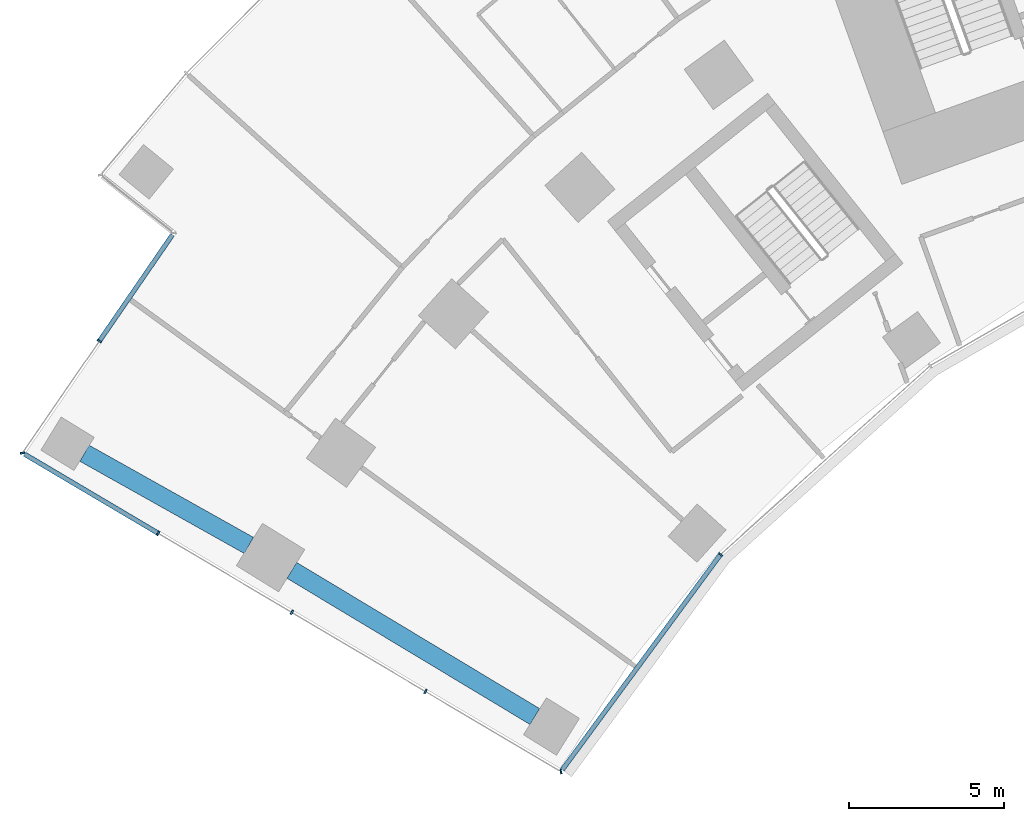
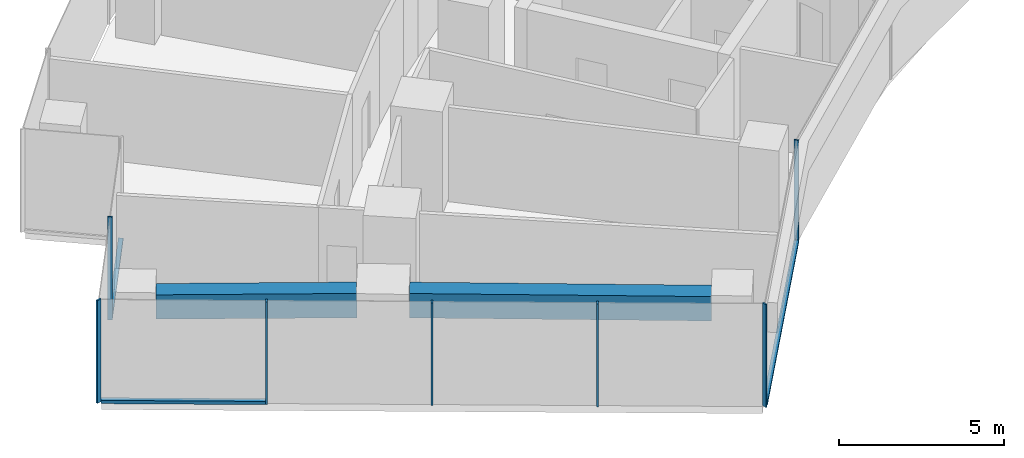
# One storey, part 2 of 21: 10 members, 2 beams, 3 elements without a shape of their own.
"""IFC4 building model written with IfcOpenShell, lengths in metres."""

import ifcopenshell
import ifcopenshell.guid

model = None  # the IFC model being written
_history = None  # IfcOwnerHistory: only IFC2X3 demands one
_inside = {}  # id of a spatial element -> (the spatial element, [elements in it])
_under = {}  # id of a project, library or spatial element -> (it, [spatial elements below it])
_declared = {}  # id of a project -> (the project, [libraries it declares])
_typed = {}  # id of a type object -> (the type object, [elements of that type])
_made_of = {}  # id of a material, layer set ... -> (it, [elements and type objects made of it])


def new_model(schema):
    """Start an empty IFC model of exactly this schema.

    Asked for "IFC4X3", IfcOpenShell would pick the latest addendum, in which some entities
    have other attributes; the version numbers below select the first issue.
    IFC2X3 requires an IfcOwnerHistory on every rooted entity: one is made here for all.
    """
    global model, _history
    if schema == "IFC4X3":
        model = ifcopenshell.file(schema_version=(4, 3, 0, 0))
    else:
        model = ifcopenshell.file(schema=schema)
    _inside.clear()
    _under.clear()
    _declared.clear()
    _typed.clear()
    _made_of.clear()
    _history = None
    if model.schema == "IFC2X3":
        org = make("IfcOrganization", Name="unknown")
        user = make(
            "IfcPersonAndOrganization",
            ThePerson=make("IfcPerson", FamilyName="unknown"),
            TheOrganization=org,
        )
        app = make(
            "IfcApplication",
            ApplicationDeveloper=org,
            Version="unknown",
            ApplicationFullName="unknown",
            ApplicationIdentifier="unknown",
        )
        _history = make(
            "IfcOwnerHistory",
            OwningUser=user,
            OwningApplication=app,
            ChangeAction="ADDED",
            CreationDate=0,
        )
    return model


def make(cls, **values):
    """One entity of the class cls with the attributes given. An attribute that is None is left unset."""
    return model.create_entity(
        cls, **{name: value for name, value in values.items() if value is not None}
    )


def rooted(cls, **values):
    """An entity with a GlobalId (a new one), such as an element, a storey or a relation."""
    return make(cls, GlobalId=ifcopenshell.guid.new(), OwnerHistory=_history, **values)


def si_unit(unit_type, name, prefix=None):
    """IfcSIUnit, for example si_unit("LENGTHUNIT", "METRE", prefix="MILLI")."""
    return make("IfcSIUnit", UnitType=unit_type, Prefix=prefix, Name=name)


def assignment(units):
    """IfcUnitAssignment: the units of a project."""
    return None if units is None else make("IfcUnitAssignment", Units=units)


def point(xyz):
    """IfcCartesianPoint."""
    return None if xyz is None else make("IfcCartesianPoint", Coordinates=xyz)


def direction(xyz):
    """IfcDirection."""
    return None if xyz is None else make("IfcDirection", DirectionRatios=xyz)


def frame(location, z_axis=None, x_axis=None):
    """IfcAxis2Placement3D, a coordinate frame: its origin and axes. An axis left out is left unset."""
    return make(
        "IfcAxis2Placement3D",
        Location=point(location),
        Axis=direction(z_axis),
        RefDirection=direction(x_axis),
    )


def frame_2d(location, x_axis=None):
    """IfcAxis2Placement2D, a coordinate frame in the plane: its origin and x axis."""
    return make(
        "IfcAxis2Placement2D", Location=point(location), RefDirection=direction(x_axis)
    )


def origin():
    """The frame at (0, 0, 0) with its axes left unset."""
    return frame((0.0, 0.0, 0.0))


def origin_2d():
    """The frame at (0, 0) in the plane with its x axis left unset."""
    return frame_2d((0.0, 0.0))


def place(relative_to, where):
    """IfcLocalPlacement: puts the frame where relative to a parent placement (None: the world)."""
    return make(
        "IfcLocalPlacement", PlacementRelTo=relative_to, RelativePlacement=where
    )


def context(
    kind, dimensions, precision=None, world=None, true_north=None, identifier=None
):
    """IfcGeometricRepresentationContext, for example the 3D "Model" context."""
    return make(
        "IfcGeometricRepresentationContext",
        ContextIdentifier=identifier,
        ContextType=kind,
        CoordinateSpaceDimension=dimensions,
        Precision=precision,
        WorldCoordinateSystem=world,
        TrueNorth=true_north,
    )


def subcontext(parent, identifier, kind, view, scale=None):
    """IfcGeometricRepresentationSubContext, for example "Body" below "Model"."""
    return make(
        "IfcGeometricRepresentationSubContext",
        ContextIdentifier=identifier,
        ContextType=kind,
        ParentContext=parent,
        TargetScale=scale,
        TargetView=view,
    )


def project(units=None, contexts=None):
    """IfcProject with its units and contexts."""
    return rooted(
        "IfcProject",
        Name="project",
        RepresentationContexts=contexts,
        UnitsInContext=assignment(units),
    )


def spatial(cls, under=None, at=None, **own):
    """A site, building, storey or space (cls), placed at a placement, below another one or the project."""
    s = rooted(cls, ObjectPlacement=at, **own)
    if under is not None:
        _under.setdefault(under.id(), (under, []))[1].append(s)
    return s


def profile(cls, at=None, kind="AREA", **sizes):
    """A parametric profile (cls). Its sizes go by their IFC names, for example OverallWidth=200.0."""
    return make(cls, ProfileType=kind, Position=at, **sizes)


def rectangle(**sizes):
    """IfcRectangleProfileDef."""
    return profile("IfcRectangleProfileDef", **sizes)


def extrude(swept, where, along, depth):
    """IfcExtrudedAreaSolid: the profile swept, set in the frame where, extruded along a direction by depth."""
    return make(
        "IfcExtrudedAreaSolid",
        SweptArea=swept,
        Position=where,
        ExtrudedDirection=direction(along),
        Depth=depth,
    )


def shape(context_of_items, identifier, shape_type, items):
    """IfcShapeRepresentation: the items that make up one representation, for example the "Body"."""
    return make(
        "IfcShapeRepresentation",
        ContextOfItems=context_of_items,
        RepresentationIdentifier=identifier,
        RepresentationType=shape_type,
        Items=items,
    )


def material(Name=None, Category=None):
    """IfcMaterial."""
    return make("IfcMaterial", Name=Name, Category=Category)


def layer(
    of_material, thickness, ventilated=None, Name=None, Category=None, Priority=None
):
    """IfcMaterialLayer: one layer of a wall or slab, of a material (None: an air gap)."""
    return make(
        "IfcMaterialLayer",
        Material=of_material,
        LayerThickness=thickness,
        IsVentilated=ventilated,
        Name=Name,
        Category=Category,
        Priority=Priority,
    )


def layer_set(layers, Name=None):
    """IfcMaterialLayerSet."""
    return make("IfcMaterialLayerSet", MaterialLayers=layers, LayerSetName=Name)


def material_profile(
    of_material, cross_section, Name=None, Category=None, Priority=None
):
    """IfcMaterialProfile: a cross section and its material."""
    return make(
        "IfcMaterialProfile",
        Name=Name,
        Material=of_material,
        Profile=cross_section,
        Priority=Priority,
        Category=Category,
    )


def profile_set(profiles, Name=None, composite=None):
    """IfcMaterialProfileSet."""
    return make(
        "IfcMaterialProfileSet",
        Name=Name,
        MaterialProfiles=profiles,
        CompositeProfile=composite,
    )


def made_of(thing, what):
    """Note that an element or type object is made of a material, layer set ...; save() writes the relation."""
    if what is not None:
        _made_of.setdefault(what.id(), (what, []))[1].append(thing)
    return thing


def type_object(cls, material=None, **own):
    """A type object (cls), such as IfcWallType, which elements share."""
    return made_of(rooted(cls, **own), material)


def element(
    cls,
    number,
    at=None,
    inside=None,
    cuts=None,
    type_object=None,
    material=None,
    context=None,
    identifier="Body",
    shape_type=None,
    held_by="IfcProductDefinitionShape",
    body=None,
    shapes=None,
    **own,
):
    """One element of the class cls, such as IfcWall. Its Tag is "e" and its number.

    at: its placement. inside: the storey or other place that contains it. cuts: it is an
    opening in that element (IfcRelVoidsElement). A single representation is given by context,
    identifier, shape_type and body (its items); several are given by shapes. held_by: the class
    of the entity that holds the representations. save() writes the other relations.
    """
    e = rooted(cls, Tag="e%d" % number, ObjectPlacement=at, **own)
    if body is not None:
        shapes = [shape(context, identifier, shape_type, body)]
    if shapes is not None:
        e.Representation = make(held_by, Representations=shapes)
    if inside is not None:
        _inside.setdefault(inside.id(), (inside, []))[1].append(e)
    if cuts is not None:
        rooted(
            "IfcRelVoidsElement", RelatingBuildingElement=cuts, RelatedOpeningElement=e
        )
    if type_object is not None:
        _typed.setdefault(type_object.id(), (type_object, []))[1].append(e)
    return made_of(e, material)


def aggregate(whole, parts):
    """IfcRelAggregates: a whole, such as a stair, and the parts it consists of."""
    return rooted("IfcRelAggregates", RelatingObject=whole, RelatedObjects=parts)


def save(model, path):
    """Write the relations noted so far, then the file.

    IfcRelAggregates (storeys below a building ...), IfcRelContainedInSpatialStructure (elements
    in a storey), IfcRelDefinesByType, IfcRelAssociatesMaterial and IfcRelDeclares: one each for
    every whole, place, type object, material and project.
    """
    for whole, parts in _under.values():
        aggregate(whole, parts)
    for where, things in _inside.values():
        rooted(
            "IfcRelContainedInSpatialStructure",
            RelatedElements=things,
            RelatingStructure=where,
        )
    for kind, things in _typed.values():
        rooted("IfcRelDefinesByType", RelatedObjects=things, RelatingType=kind)
    for what, things in _made_of.values():
        rooted("IfcRelAssociatesMaterial", RelatedObjects=things, RelatingMaterial=what)
    for by, libraries in _declared.values():
        rooted("IfcRelDeclares", RelatingContext=by, RelatedDefinitions=libraries)
    model.write(path)


model = new_model("IFC4")

# Units and contexts
model_context = context("Model", 3, precision=1e-05, world=origin(), true_north=direction((0.0, 1.0)))
body_context = subcontext(model_context, "Body", "Model", "MODEL_VIEW")
ifc_project = project(units=[si_unit("LENGTHUNIT", "METRE"), si_unit("AREAUNIT", "SQUARE_METRE"), si_unit("VOLUMEUNIT", "CUBIC_METRE"), si_unit("PLANEANGLEUNIT", "RADIAN"), si_unit("MASSUNIT", "GRAM", prefix="KILO")], contexts=[model_context])

# Site, building, storey
site_placement = place(None, origin())
site = spatial("IfcSite", under=ifc_project, at=site_placement, CompositionType="ELEMENT")
building_placement = place(site_placement, origin())
building = spatial("IfcBuilding", under=site, at=building_placement, Name="Stone Belt Terrace Tower", CompositionType="ELEMENT")
storey_placement = place(building_placement, frame((0.0, 0.0, 60.39990234375)))
storey = spatial("IfcBuildingStorey", under=building, at=storey_placement, Name="L14", CompositionType="ELEMENT", Elevation=60.39990234375)

# Curtain wall, members
ifc_material_1 = material(Name="Aluminium 6063-T6 anodised frame", Category="aluminium")
ifc_layer_1 = layer(ifc_material_1, 0.14990234375)
ifc_layer_set_1 = layer_set([ifc_layer_1], Name="CW-B unitised concave-face curtain wall")
curtain_wall_type_1 = type_object("IfcCurtainWallType", Name="CW-B unitised concave-face curtain wall", PredefinedType="NOTDEFINED", material=ifc_layer_set_1)
curtain_wall_1_placement = place(storey_placement, origin())
curtain_wall_1 = element("IfcCurtainWall", 1, at=curtain_wall_1_placement, inside=storey, type_object=curtain_wall_type_1, Name="CW-B concave face L14", PredefinedType="NOTDEFINED")
ifc_material_profile_1 = material_profile(ifc_material_1, rectangle(XDim=0.14990234375, YDim=0.050048828125, at=origin_2d()), Name="Aluminium 6063-T6 50x150")
ifc_profile_set_1 = profile_set([ifc_material_profile_1], Name="Aluminium 6063-T6 anodised frame")
member_type_1 = type_object("IfcMemberType", Name="CW-B mullion 50 x 150", PredefinedType="MULLION", material=ifc_profile_set_1)
member_1_placement = place(storey_placement, frame((-37.4140625, 22.0576171875, 0.0), z_axis=(0.0, 0.0, 1.0), x_axis=(-0.199957039009, 0.979804665508, 0.0)))
member_1 = element("IfcMember", 2, at=member_1_placement, type_object=member_type_1, Name="CW-B mullion 1", PredefinedType="MULLION", context=body_context, shape_type="SweptSolid", body=[
    extrude(rectangle(XDim=0.14990234375, YDim=0.050048828125, at=origin_2d()), origin(), (0.0, 0.0, 1.0), 3.800048828125),
])
member_2_placement = place(storey_placement, frame((-32.27099609375, 29.056640625, 0.0), z_axis=(0.0, 0.0, 1.0), x_axis=(-0.741329775891, 0.671140941515, 0.0)))
member_2 = element("IfcMember", 3, at=member_2_placement, type_object=member_type_1, Name="CW-B mullion 2", PredefinedType="MULLION", context=body_context, shape_type="SweptSolid", body=[
    extrude(rectangle(XDim=0.14990234375, YDim=0.050048828125, at=origin_2d()), origin(), (0.0, 0.0, 1.0), 3.800048828125),
])
ifc_material_profile_2 = material_profile(ifc_material_1, rectangle(XDim=0.14990234375, YDim=0.1201171875, at=origin_2d()), Name="Aluminium 6063-T6 150x120")
ifc_profile_set_2 = profile_set([ifc_material_profile_2], Name="Aluminium 6063-T6 anodised frame")
member_type_2 = type_object("IfcMemberType", Name="CW-B transom 120 x 150", PredefinedType="USERDEFINED", material=ifc_profile_set_2)
member_3_placement = place(storey_placement, frame((-37.373291015625, 22.11328125, 0.06005859375), z_axis=(0.592180847905, 0.805805090189, 0.0), x_axis=(-0.805805090189, 0.592180847905, 0.0)))
member_3 = element("IfcMember", 4, at=member_3_placement, type_object=member_type_2, Name="CW-B transom 1.1", ObjectType="TRANSOM", PredefinedType="USERDEFINED", context=body_context, shape_type="SweptSolid", body=[
    extrude(rectangle(XDim=0.14990234375, YDim=0.1201171875, at=origin_2d()), origin(), (0.0, 0.0, 1.0), 8.583984375),
])
aggregate(curtain_wall_1, [member_1, member_2, member_3])

# Curtain wall, member
ifc_layer_2 = layer(ifc_material_1, 0.14990234375)
ifc_layer_set_2 = layer_set([ifc_layer_2], Name="CW-C stick curtain wall, horn ends and notches")
curtain_wall_type_2 = type_object("IfcCurtainWallType", Name="CW-C stick curtain wall, horn ends and notches", PredefinedType="NOTDEFINED", material=ifc_layer_set_2)
curtain_wall_2_placement = place(storey_placement, origin())
curtain_wall_2 = element("IfcCurtainWall", 5, at=curtain_wall_2_placement, inside=storey, type_object=curtain_wall_type_2, Name="CW-C notch face L14", PredefinedType="NOTDEFINED")
ifc_material_profile_3 = material_profile(ifc_material_1, rectangle(XDim=0.14990234375, YDim=0.06005859375, at=origin_2d()), Name="Aluminium 6063-T6 60x150")
ifc_profile_set_3 = profile_set([ifc_material_profile_3], Name="Aluminium 6063-T6 anodised frame")
member_type_3 = type_object("IfcMemberType", Name="CW-C mullion 60 x 150", PredefinedType="MULLION", material=ifc_profile_set_3)
member_4_placement = place(storey_placement, frame((-52.275390625, 35.925048828125, 0.0), z_axis=(0.0, 0.0, 1.0), x_axis=(0.824146991357, -0.566375967567, 0.0)))
member_4 = element("IfcMember", 6, at=member_4_placement, type_object=member_type_3, Name="CW-C mullion 2", PredefinedType="MULLION", context=body_context, shape_type="SweptSolid", body=[
    extrude(rectangle(XDim=0.14990234375, YDim=0.06005859375, at=origin_2d()), origin(), (0.0, 0.0, 1.0), 3.800048828125),
])

# Curtain wall, members
curtain_wall_3_placement = place(storey_placement, origin())
curtain_wall_3 = element("IfcCurtainWall", 7, at=curtain_wall_3_placement, inside=storey, type_object=curtain_wall_type_2, Name="CW-C end face L14", PredefinedType="NOTDEFINED")
member_5_placement = place(storey_placement, frame((-54.752685546875, 32.3203125, 0.0), z_axis=(0.0, 0.0, 1.0), x_axis=(0.976519557331, 0.215428768157, 0.0)))
member_5 = element("IfcMember", 8, at=member_5_placement, type_object=member_type_3, Name="CW-C mullion 1", PredefinedType="MULLION", context=body_context, shape_type="SweptSolid", body=[
    extrude(rectangle(XDim=0.14990234375, YDim=0.06005859375, at=origin_2d()), origin(), (0.0, 0.0, 1.0), 3.800048828125),
])
member_6_placement = place(storey_placement, frame((-50.380859375, 29.732666015625, 0.0), z_axis=(0.0, 0.0, 1.0), x_axis=(0.509352918793, 0.860557728521, 0.0)))
member_6 = element("IfcMember", 9, at=member_6_placement, type_object=member_type_3, Name="CW-C mullion 2", PredefinedType="MULLION", context=body_context, shape_type="SweptSolid", body=[
    extrude(rectangle(XDim=0.14990234375, YDim=0.06005859375, at=origin_2d()), origin(), (0.0, 0.0, 1.0), 3.800048828125),
])
member_7_placement = place(storey_placement, frame((-46.078125, 27.185791015625, 0.0), z_axis=(0.0, 0.0, 1.0), x_axis=(0.509352918793, 0.860557728521, 0.0)))
member_7 = element("IfcMember", 10, at=member_7_placement, type_object=member_type_3, Name="CW-C mullion 3", PredefinedType="MULLION", context=body_context, shape_type="SweptSolid", body=[
    extrude(rectangle(XDim=0.14990234375, YDim=0.06005859375, at=origin_2d()), origin(), (0.0, 0.0, 1.0), 3.800048828125),
])
member_8_placement = place(storey_placement, frame((-41.775146484375, 24.63916015625, 0.0), z_axis=(0.0, 0.0, 1.0), x_axis=(0.509352918793, 0.860557728521, 0.0)))
member_8 = element("IfcMember", 11, at=member_8_placement, type_object=member_type_3, Name="CW-C mullion 4", PredefinedType="MULLION", context=body_context, shape_type="SweptSolid", body=[
    extrude(rectangle(XDim=0.14990234375, YDim=0.06005859375, at=origin_2d()), origin(), (0.0, 0.0, 1.0), 3.800048828125),
])

# Member
ifc_material_profile_4 = material_profile(ifc_material_1, rectangle(XDim=0.14990234375, YDim=0.1201171875, at=origin_2d()), Name="Aluminium 6063-T6 150x120")
ifc_profile_set_4 = profile_set([ifc_material_profile_4], Name="Aluminium 6063-T6 anodised frame")
member_type_4 = type_object("IfcMemberType", Name="CW-C transom 120 x 150", PredefinedType="USERDEFINED", material=ifc_profile_set_4)
member_9_placement = place(storey_placement, frame((-49.924560546875, 39.345703125, 0.06005859375), z_axis=(-0.566362850847, -0.824156005365, 0.0), x_axis=(0.824156005365, -0.566362850847, 0.0)))
member_9 = element("IfcMember", 12, at=member_9_placement, type_object=member_type_4, Name="CW-C transom 1.1", ObjectType="TRANSOM", PredefinedType="USERDEFINED", context=body_context, shape_type="SweptSolid", body=[
    extrude(rectangle(XDim=0.14990234375, YDim=0.1201171875, at=origin_2d()), origin(), (0.0, 0.0, 1.0), 4.12060546875),
])

aggregate(curtain_wall_2, [member_4, member_9])

member_10_placement = place(storey_placement, frame((-54.68798828125, 32.281982421875, 0.06005859375), z_axis=(0.860543319846, -0.509377261633, 0.0), x_axis=(0.509377261633, 0.860543319846, 0.0)))
member_10 = element("IfcMember", 13, at=member_10_placement, type_object=member_type_4, Name="CW-C transom 1.1", ObjectType="TRANSOM", PredefinedType="USERDEFINED", context=body_context, shape_type="SweptSolid", body=[
    extrude(rectangle(XDim=0.14990234375, YDim=0.1201171875, at=origin_2d()), origin(), (0.0, 0.0, 1.0), 4.97509765625),
])

aggregate(curtain_wall_3, [member_5, member_6, member_7, member_8, member_10])

# Beams
ifc_material_2 = material(Name="Concrete B60", Category="concrete")
ifc_material_profile_5 = material_profile(ifc_material_2, rectangle(XDim=0.60009765625, YDim=0.89990234375, at=origin_2d()), Name="RC 600x900")
ifc_profile_set_5 = profile_set([ifc_material_profile_5], Name="Concrete B60")
beam_type = type_object("IfcBeamType", Name="Edge beam RC 600x900 B60", PredefinedType="SPANDREL", material=ifc_profile_set_5)
beam_1_placement = place(storey_placement, frame((-38.253662109375, 23.83203125, 3.030029296875), z_axis=(-0.856900189152, 0.51548236229, 0.0), x_axis=(-0.51548236229, -0.856900189152, 0.0)))
element("IfcBeam", 14, at=beam_1_placement, inside=storey, type_object=beam_type, Name="Edge beam L14 A P to Q", PredefinedType="SPANDREL", context=body_context, shape_type="SweptSolid", body=[
    extrude(rectangle(XDim=0.60009765625, YDim=0.89990234375, at=origin_2d()), origin(), (0.0, 0.0, 1.0), 9.130859375),
])
beam_2_placement = place(storey_placement, frame((-47.4619140625, 29.3427734375, 3.030029296875), z_axis=(-0.872212947991, 0.489126336806, 0.0), x_axis=(-0.489126336806, -0.872212947991, 0.0)))
element("IfcBeam", 15, at=beam_2_placement, inside=storey, type_object=beam_type, Name="Edge beam L14 A Q to R", PredefinedType="SPANDREL", context=body_context, shape_type="SweptSolid", body=[
    extrude(rectangle(XDim=0.60009765625, YDim=0.89990234375, at=origin_2d()), origin(), (0.0, 0.0, 1.0), 6.069091796875),
])

save(model, "model.ifc")
